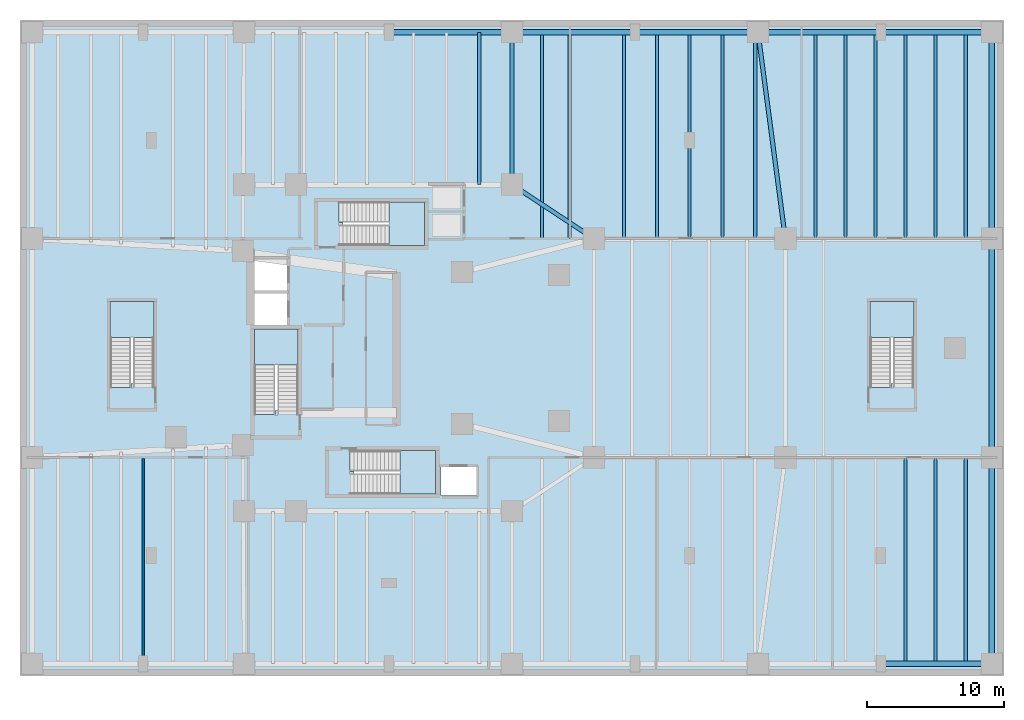
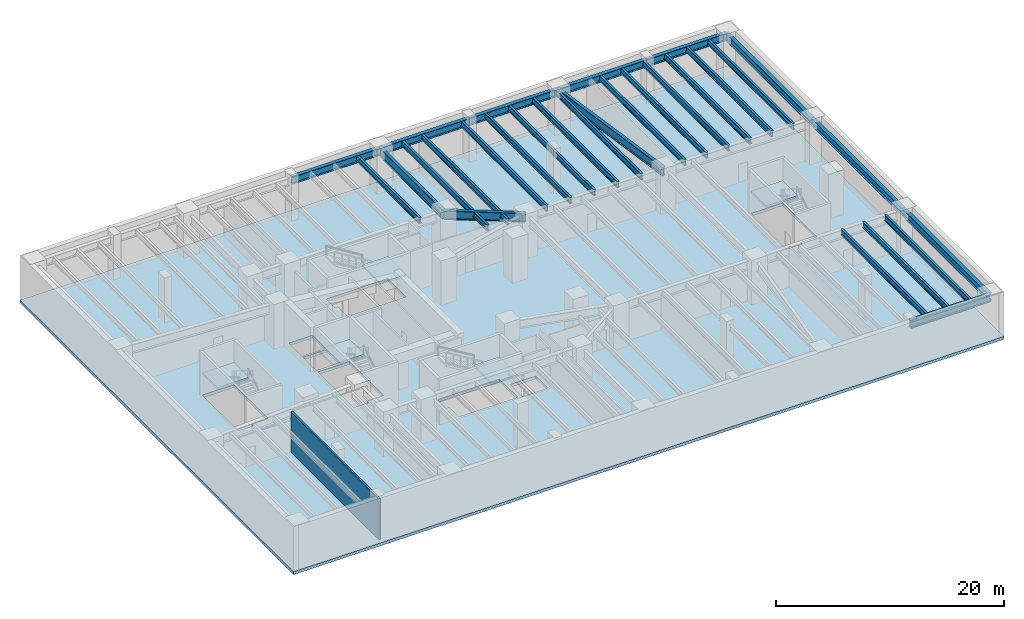
# One storey, part 2 of 9: 29 beams, 6 slabs, 1 wall, 5 elements without a shape of their own.
"""IFC4 building model written with IfcOpenShell, lengths in metres."""

from ifc_helpers import new_model, si_unit, direction, frame, frame_2d, origin, origin_2d, place, context, subcontext, project, spatial, polyline, rectangle, i_section, outline, extrude, material, layer, layer_set, material_profile, profile_set, type_object, element, aggregate, save


model = new_model("IFC4")

# Units and contexts
model_context = context("Model", 3, precision=1e-05, world=origin(), true_north=direction((0.0, 1.0)))
body_context = subcontext(model_context, "Body", "Model", "MODEL_VIEW")
ifc_project = project(units=[si_unit("LENGTHUNIT", "METRE"), si_unit("AREAUNIT", "SQUARE_METRE"), si_unit("VOLUMEUNIT", "CUBIC_METRE"), si_unit("PLANEANGLEUNIT", "RADIAN"), si_unit("MASSUNIT", "GRAM", prefix="KILO"), si_unit("THERMODYNAMICTEMPERATUREUNIT", "KELVIN"), si_unit("POWERUNIT", "WATT")], contexts=[model_context])

# Site, building, storey
site_placement = place(None, origin())
site = spatial("IfcSite", under=ifc_project, at=site_placement, CompositionType="ELEMENT")
building_placement = place(site_placement, origin())
building = spatial("IfcBuilding", under=site, at=building_placement, Name="Skarre Station Tower", CompositionType="ELEMENT")
storey_placement = place(building_placement, frame((0.0, 0.0, -4.800048828125)))
storey = spatial("IfcBuildingStorey", under=building, at=storey_placement, Name="B01", CompositionType="ELEMENT", Elevation=-4.800048828125)

# Beams
ifc_material_1 = material(Name="Steel ASTM A992 Grade 50", Category="steel")
ifc_material_profile_1 = material_profile(ifc_material_1, i_section(OverallWidth=0.30810546875, OverallDepth=0.927001953125, WebThickness=0.01904296875, FlangeThickness=0.031982421875, at=origin_2d()), Name="Steel ASTM A992 Grade 50")
ifc_profile_set_1 = profile_set([ifc_material_profile_1], Name="Steel ASTM A992 Grade 50")
beam_type_1 = type_object("IfcBeamType", Name="Steel Beam W36X194", PredefinedType="BEAM", material=ifc_profile_set_1)
beam_1_placement = place(storey_placement, frame((42.0, 32.0, 3.9169921875), z_axis=(-0.835251957938, 0.549867408345, 0.0), x_axis=(-0.549867408345, -0.835251957938, 0.0)))
element("IfcBeam", 1, at=beam_1_placement, inside=storey, type_object=beam_type_1, Name="B01 Concourse Transverse Girder NS5B", PredefinedType="BEAM", context=body_context, shape_type="SweptSolid", body=[
    extrude(i_section(OverallWidth=0.30810546875, OverallDepth=0.927001953125, WebThickness=0.01904296875, FlangeThickness=0.031982421875, at=origin_2d()), origin(), (0.0, 0.0, 1.0), 7.183349609375),
])
beam_2_placement = place(storey_placement, frame((36.0, 35.949951171875, 3.9169921875), z_axis=(0.0, 1.0, 0.0), x_axis=(-1.0, 0.0, 0.0)))
element("IfcBeam", 2, at=beam_2_placement, inside=storey, type_object=beam_type_1, Name="B01 Concourse Transverse Girder NS5", PredefinedType="BEAM", context=body_context, shape_type="SweptSolid", body=[
    extrude(i_section(OverallWidth=0.30810546875, OverallDepth=0.927001953125, WebThickness=0.01904296875, FlangeThickness=0.031982421875, at=origin_2d()), origin(), (0.0, 0.0, 1.0), 11.150146484375),
])
beam_3_placement = place(storey_placement, frame((56.0, 32.0, 3.9169921875), z_axis=(-0.131302768537, 0.991342313721, 0.0), x_axis=(-0.991342313721, -0.131302768537, 0.0)))
element("IfcBeam", 3, at=beam_3_placement, inside=storey, type_object=beam_type_1, Name="B01 Concourse Transverse Girder NS8", PredefinedType="BEAM", context=body_context, shape_type="SweptSolid", body=[
    extrude(i_section(OverallWidth=0.30810546875, OverallDepth=0.927001953125, WebThickness=0.01904296875, FlangeThickness=0.031982421875, at=origin_2d()), origin(), (0.0, 0.0, 1.0), 15.23193359375),
])
ifc_material_profile_2 = material_profile(ifc_material_1, i_section(OverallWidth=0.22802734375, OverallDepth=0.60791015625, WebThickness=0.010986328125, FlangeThickness=0.01708984375, at=origin_2d()), Name="Steel ASTM A992 Grade 50")
ifc_profile_set_2 = profile_set([ifc_material_profile_2], Name="Steel ASTM A992 Grade 50")
beam_type_2 = type_object("IfcBeamType", Name="Steel Joist W24X76", PredefinedType="JOIST", material=ifc_profile_set_2)
beam_4_placement = place(storey_placement, frame((33.60009765625, 35.949951171875, 4.075927734375), z_axis=(0.0, 1.0, 0.0), x_axis=(-1.0, 0.0, 0.0)))
element("IfcBeam", 4, at=beam_4_placement, inside=storey, type_object=beam_type_2, Name="B01 North Bay Joist 13", PredefinedType="JOIST", context=body_context, shape_type="SweptSolid", body=[
    extrude(i_section(OverallWidth=0.22802734375, OverallDepth=0.60791015625, WebThickness=0.010986328125, FlangeThickness=0.01708984375, at=origin_2d()), origin(), (0.0, 0.0, 1.0), 11.150146484375),
])
for number, where, z_axis, x_axis, name in (
    (5, (38.199951171875, 32.0, 4.075927734375), (0.0, 1.0, 0.0), (-1.0, 0.0, 0.0), "B01 North Bay Joist 14"),
    (6, (40.199951171875, 32.0, 4.075927734375), (0.0, 1.0, 0.0), (-1.0, 0.0, 0.0), "B01 North Bay Joist 15"),
    (7, (44.199951171875, 32.0, 4.075927734375), (0.0, 1.0, 0.0), (-1.0, 0.0, 0.0), "B01 North Bay Joist 16"),
    (8, (46.60009765625, 32.0, 4.075927734375), (0.0, 1.0, 0.0), (-1.0, 0.0, 0.0), "B01 North Bay Joist 17"),
    (9, (49.0, 32.0, 4.075927734375), (0.0, 1.0, 0.0), (-1.0, 0.0, 0.0), "B01 North Bay Joist 18"),
    (10, (51.39990234375, 32.0, 4.075927734375), (0.0, 1.0, 0.0), (-1.0, 0.0, 0.0), "B01 North Bay Joist 19"),
    (11, (53.800048828125, 32.0, 4.075927734375), (0.0, 1.0, 0.0), (-1.0, 0.0, 0.0), "B01 North Bay Joist 20"),
    (12, (58.199951171875, 32.0, 4.075927734375), (0.0, 1.0, 0.0), (-1.0, 0.0, 0.0), "B01 North Bay Joist 21"),
    (13, (60.39990234375, 32.0, 4.075927734375), (0.0, 1.0, 0.0), (-1.0, 0.0, 0.0), "B01 North Bay Joist 22"),
    (14, (62.60009765625, 32.0, 4.075927734375), (0.0, 1.0, 0.0), (-1.0, 0.0, 0.0), "B01 North Bay Joist 23"),
    (15, (64.800048828125, 0.89990234375, 4.075927734375), (0.0, 1.0, 0.0), (-1.0, 0.0, 0.0), "B01 South Bay Joist 24"),
    (16, (64.800048828125, 32.0, 4.075927734375), (0.0, 1.0, 0.0), (-1.0, 0.0, 0.0), "B01 North Bay Joist 24"),
    (17, (67.0, 0.89990234375, 4.075927734375), (0.0, 1.0, 0.0), (-1.0, 0.0, 0.0), "B01 South Bay Joist 25"),
    (18, (67.0, 32.0, 4.075927734375), (0.0, 1.0, 0.0), (-1.0, 0.0, 0.0), "B01 North Bay Joist 25"),
    (19, (69.199951171875, 0.89990234375, 4.075927734375), (0.0, 1.0, 0.0), (-1.0, 0.0, 0.0), "B01 South Bay Joist 26"),
    (20, (69.199951171875, 32.0, 4.075927734375), (0.0, 1.0, 0.0), (-1.0, 0.0, 0.0), "B01 North Bay Joist 26"),
):
    element("IfcBeam", number, at=place(storey_placement, frame(where, z_axis=z_axis, x_axis=x_axis)), inside=storey, type_object=beam_type_2, Name=name, PredefinedType="JOIST", context=body_context, shape_type="SweptSolid", body=[
        extrude(i_section(OverallWidth=0.22802734375, OverallDepth=0.60791015625, WebThickness=0.010986328125, FlangeThickness=0.01708984375, at=origin_2d()), origin(), (0.0, 0.0, 1.0), 15.10009765625),
    ])
ifc_material_profile_3 = material_profile(ifc_material_1, i_section(OverallWidth=0.384033203125, OverallDepth=0.785888671875, WebThickness=0.02001953125, FlangeThickness=0.032958984375, at=origin_2d()), Name="Steel ASTM A992 Grade 50")
ifc_profile_set_3 = profile_set([ifc_material_profile_3], Name="Steel ASTM A992 Grade 50")
beam_type_3 = type_object("IfcBeamType", Name="Steel Spandrel W30X211", PredefinedType="SPANDREL", material=ifc_profile_set_3)
for number, where, z_axis, x_axis, name in (
    (21, (27.0, 47.10009765625, 3.987060546875), (1.0, 0.0, 0.0), (0.0, 1.0, 0.0), "B01 North Podium Spandrel 4"),
    (22, (36.0, 47.10009765625, 3.987060546875), (1.0, 0.0, 0.0), (0.0, 1.0, 0.0), "B01 North Podium Spandrel 5"),
    (23, (45.0, 47.10009765625, 3.987060546875), (1.0, 0.0, 0.0), (0.0, 1.0, 0.0), "B01 North Podium Spandrel 6"),
    (24, (54.0, 47.10009765625, 3.987060546875), (1.0, 0.0, 0.0), (0.0, 1.0, 0.0), "B01 North Podium Spandrel 7"),
):
    element("IfcBeam", number, at=place(storey_placement, frame(where, z_axis=z_axis, x_axis=x_axis)), inside=storey, type_object=beam_type_3, Name=name, PredefinedType="SPANDREL", context=body_context, shape_type="SweptSolid", body=[
        extrude(i_section(OverallWidth=0.384033203125, OverallDepth=0.785888671875, WebThickness=0.02001953125, FlangeThickness=0.032958984375, at=origin_2d()), origin(), (0.0, 0.0, 1.0), 9.0),
    ])
for number, where, z_axis, x_axis, name in (
    (25, (63.0, 0.89990234375, 3.987060546875), (1.0, 0.0, 0.0), (0.0, 1.0, 0.0), "B01 South Podium Spandrel 8"),
    (26, (63.0, 47.10009765625, 3.987060546875), (1.0, 0.0, 0.0), (0.0, 1.0, 0.0), "B01 North Podium Spandrel 8"),
):
    element("IfcBeam", number, at=place(storey_placement, frame(where, z_axis=z_axis, x_axis=x_axis)), inside=storey, type_object=beam_type_3, Name=name, PredefinedType="SPANDREL", context=body_context, shape_type="SweptSolid", body=[
        extrude(i_section(OverallWidth=0.384033203125, OverallDepth=0.785888671875, WebThickness=0.02001953125, FlangeThickness=0.032958984375, at=origin_2d()), origin(), (0.0, 0.0, 1.0), 8.10009765625),
    ])
beam_5_placement = place(storey_placement, frame((71.10009765625, 0.89990234375, 3.987060546875), z_axis=(0.0, 1.0, 0.0), x_axis=(-1.0, 0.0, 0.0)))
element("IfcBeam", 27, at=beam_5_placement, inside=storey, type_object=beam_type_3, Name="B01 East Podium Spandrel 1", PredefinedType="SPANDREL", context=body_context, shape_type="SweptSolid", body=[
    extrude(i_section(OverallWidth=0.384033203125, OverallDepth=0.785888671875, WebThickness=0.02001953125, FlangeThickness=0.032958984375, at=origin_2d()), origin(), (0.0, 0.0, 1.0), 15.10009765625),
])
beam_6_placement = place(storey_placement, frame((71.10009765625, 16.0, 3.987060546875), z_axis=(0.0, 1.0, 0.0), x_axis=(-1.0, 0.0, 0.0)))
element("IfcBeam", 28, at=beam_6_placement, inside=storey, type_object=beam_type_3, Name="B01 East Podium Spandrel 2", PredefinedType="SPANDREL", context=body_context, shape_type="SweptSolid", body=[
    extrude(i_section(OverallWidth=0.384033203125, OverallDepth=0.785888671875, WebThickness=0.02001953125, FlangeThickness=0.032958984375, at=origin_2d()), origin(), (0.0, 0.0, 1.0), 16.0),
])
beam_7_placement = place(storey_placement, frame((71.10009765625, 32.0, 3.987060546875), z_axis=(0.0, 1.0, 0.0), x_axis=(-1.0, 0.0, 0.0)))
element("IfcBeam", 29, at=beam_7_placement, inside=storey, type_object=beam_type_3, Name="B01 East Podium Spandrel 3", PredefinedType="SPANDREL", context=body_context, shape_type="SweptSolid", body=[
    extrude(i_section(OverallWidth=0.384033203125, OverallDepth=0.785888671875, WebThickness=0.02001953125, FlangeThickness=0.032958984375, at=origin_2d()), origin(), (0.0, 0.0, 1.0), 15.10009765625),
])

# Slab
ifc_material_2 = material(Name="Concrete C50/60", Category="concrete")
ifc_layer_1 = layer(ifc_material_2, 0.31005859375, Name="Concrete C50/60")
ifc_layer_set_1 = layer_set([ifc_layer_1], Name="Concrete C50/60")
slab_type_1 = type_object("IfcSlabType", Name="Podium & Plant Structural Slab 310", PredefinedType="FLOOR", material=ifc_layer_set_1)
slab_1_placement = place(storey_placement, frame((0.0, 0.0, -0.31005859375)))
element("IfcSlab", 30, at=slab_1_placement, inside=storey, type_object=slab_type_1, Name="B01 Station Podium Structural Floor Slab", PredefinedType="FLOOR", context=body_context, shape_type="SweptSolid", body=[
    extrude(outline(polyline([(0.0, 0.0), (72.0, 0.0), (72.0, 48.0), (0.0, 48.0), (0.0, 0.0)]), holes=[polyline([(18.669921875, 19.419921875), (18.669921875, 19.123046875), (17.14990234375, 19.123046875), (17.14990234375, 25.39990234375), (20.35009765625, 25.39990234375), (20.35009765625, 19.419921875), (18.669921875, 19.419921875)]), polyline([(24.449951171875, 14.97998046875), (24.153076171875, 14.97998046875), (24.153076171875, 16.5), (30.39990234375, 16.5), (30.39990234375, 13.300048828125), (24.449951171875, 13.300048828125), (24.449951171875, 14.97998046875)]), polyline([(23.64990234375, 33.179931640625), (23.35302734375, 33.179931640625), (23.35302734375, 34.699951171875), (29.60009765625, 34.699951171875), (29.60009765625, 31.5), (23.64990234375, 31.5), (23.64990234375, 33.179931640625)]), polyline([(8.1201171875, 21.419921875), (8.1201171875, 21.123046875), (6.60009765625, 21.123046875), (6.60009765625, 27.39990234375), (9.800048828125, 27.39990234375), (9.800048828125, 21.419921875), (8.1201171875, 21.419921875)]), polyline([(63.719970703125, 21.419921875), (63.719970703125, 21.123046875), (62.199951171875, 21.123046875), (62.199951171875, 27.39990234375), (65.39990234375, 27.39990234375), (65.39990234375, 21.419921875), (63.719970703125, 21.419921875)]), polyline([(17.14990234375, 28.0), (19.550048828125, 28.0), (19.550048828125, 25.699951171875), (17.14990234375, 25.699951171875), (17.14990234375, 28.0)]), polyline([(17.14990234375, 30.5), (19.550048828125, 30.5), (19.550048828125, 28.199951171875), (17.14990234375, 28.199951171875), (17.14990234375, 30.5)]), polyline([(30.800048828125, 15.300048828125), (33.39990234375, 15.300048828125), (33.39990234375, 13.199951171875), (30.800048828125, 13.199951171875), (30.800048828125, 15.300048828125)])]), origin(), (0.0, 0.0, 1.0), 0.31005859375),
])

# Stair, slab
ifc_material_3 = material(Name="Concrete C40/50", Category="concrete")
stair_type_1 = type_object("IfcStairType", Name="Reinforced Concrete Exit Stair ST-1", PredefinedType="HALF_TURN_STAIR", material=ifc_material_3)
stair_1_placement = place(storey_placement, origin())
stair_1 = element("IfcStair", 31, at=stair_1_placement, inside=storey, type_object=stair_type_1, Name="B01 Core Exit Stair ST-1", PredefinedType="HALF_TURN_STAIR")
ifc_layer_2 = layer(ifc_material_3, 0.219970703125, Name="Concrete C40/50")
ifc_layer_set_2 = layer_set([ifc_layer_2], Name="Concrete C40/50")
slab_type_2 = type_object("IfcSlabType", Name="Reinforced Concrete Stair & Ramp Landing 220", PredefinedType="LANDING", material=ifc_layer_set_2)
slab_2_placement = place(storey_placement, frame((0.0, 0.0, 2.199951171875)))
slab_2 = element("IfcSlab", 32, at=slab_2_placement, type_object=slab_type_2, Name="ST-1 landing 1", PredefinedType="LANDING", context=body_context, shape_type="SweptSolid", body=[
    extrude(outline(polyline([(20.35009765625, 22.760009765625), (20.35009765625, 25.39990234375), (17.14990234375, 25.39990234375), (17.14990234375, 22.760009765625), (20.35009765625, 22.760009765625)])), origin(), (0.0, 0.0, 1.0), 0.2001953125),
])
aggregate(stair_1, [slab_2])

stair_type_2 = type_object("IfcStairType", Name="Reinforced Concrete Exit Stair ST-2", PredefinedType="HALF_TURN_STAIR", material=ifc_material_3)
stair_2_placement = place(storey_placement, origin())
stair_2 = element("IfcStair", 33, at=stair_2_placement, inside=storey, type_object=stair_type_2, Name="B01 Core Exit Stair ST-2", PredefinedType="HALF_TURN_STAIR")
slab_3_placement = place(storey_placement, frame((0.0, 0.0, 2.199951171875)))
slab_3 = element("IfcSlab", 34, at=slab_3_placement, type_object=slab_type_2, Name="ST-2 landing 1", PredefinedType="LANDING", context=body_context, shape_type="SweptSolid", body=[
    extrude(outline(polyline([(27.7900390625, 13.300048828125), (30.39990234375, 13.300048828125), (30.39990234375, 16.5), (27.7900390625, 16.5), (27.7900390625, 13.300048828125)])), origin(), (0.0, 0.0, 1.0), 0.2001953125),
])
aggregate(stair_2, [slab_3])

stair_type_3 = type_object("IfcStairType", Name="Reinforced Concrete Exit Stair ST-3", PredefinedType="HALF_TURN_STAIR", material=ifc_material_3)
stair_3_placement = place(storey_placement, origin())
stair_3 = element("IfcStair", 35, at=stair_3_placement, inside=storey, type_object=stair_type_3, Name="B01 Core Exit Stair ST-3", PredefinedType="HALF_TURN_STAIR")
slab_4_placement = place(storey_placement, frame((0.0, 0.0, 2.199951171875)))
slab_4 = element("IfcSlab", 36, at=slab_4_placement, type_object=slab_type_2, Name="ST-3 landing 1", PredefinedType="LANDING", context=body_context, shape_type="SweptSolid", body=[
    extrude(outline(polyline([(26.989990234375, 31.5), (29.60009765625, 31.5), (29.60009765625, 34.699951171875), (26.989990234375, 34.699951171875), (26.989990234375, 31.5)])), origin(), (0.0, 0.0, 1.0), 0.2001953125),
])
aggregate(stair_3, [slab_4])

stair_type_4 = type_object("IfcStairType", Name="Reinforced Concrete Exit Stair ST-4", PredefinedType="HALF_TURN_STAIR", material=ifc_material_3)
stair_4_placement = place(storey_placement, origin())
stair_4 = element("IfcStair", 37, at=stair_4_placement, inside=storey, type_object=stair_type_4, Name="B01 Podium Concourse Exit Stair ST-4", PredefinedType="HALF_TURN_STAIR")
slab_5_placement = place(storey_placement, frame((0.0, 0.0, 2.199951171875)))
slab_5 = element("IfcSlab", 38, at=slab_5_placement, type_object=slab_type_2, Name="ST-4 landing 1", PredefinedType="LANDING", context=body_context, shape_type="SweptSolid", body=[
    extrude(outline(polyline([(9.800048828125, 24.760009765625), (9.800048828125, 27.39990234375), (6.60009765625, 27.39990234375), (6.60009765625, 24.760009765625), (9.800048828125, 24.760009765625)])), origin(), (0.0, 0.0, 1.0), 0.2001953125),
])
aggregate(stair_4, [slab_5])

stair_type_5 = type_object("IfcStairType", Name="Reinforced Concrete Exit Stair ST-5", PredefinedType="HALF_TURN_STAIR", material=ifc_material_3)
stair_5_placement = place(storey_placement, origin())
stair_5 = element("IfcStair", 39, at=stair_5_placement, inside=storey, type_object=stair_type_5, Name="B01 Podium Concourse Exit Stair ST-5", PredefinedType="HALF_TURN_STAIR")
slab_6_placement = place(storey_placement, frame((0.0, 0.0, 2.199951171875)))
slab_6 = element("IfcSlab", 40, at=slab_6_placement, type_object=slab_type_2, Name="ST-5 landing 1", PredefinedType="LANDING", context=body_context, shape_type="SweptSolid", body=[
    extrude(outline(polyline([(65.39990234375, 24.760009765625), (65.39990234375, 27.39990234375), (62.199951171875, 27.39990234375), (62.199951171875, 24.760009765625), (65.39990234375, 24.760009765625)])), origin(), (0.0, 0.0, 1.0), 0.2001953125),
])
aggregate(stair_5, [slab_6])

# Wall
ifc_material_4 = material(Name="Acoustic Steel-Stud Gypsum Partition", Category="steel")
ifc_layer_3 = layer(ifc_material_4, 0.1650390625, Name="Acoustic Steel-Stud Gypsum Partition")
ifc_layer_set_3 = layer_set([ifc_layer_3], Name="Acoustic Steel-Stud Gypsum Partition")
wall_type = type_object("IfcWallType", Name="Suite Demising Acoustic Partition 165", PredefinedType="PARTITIONING", material=ifc_layer_set_3)
wall_placement = place(storey_placement, frame((9.02001953125, 0.4951171875, 0.0), z_axis=(0.0, 0.0, 1.0), x_axis=(0.0, 1.0, 0.0)))
element("IfcWall", 41, at=wall_placement, inside=storey, type_object=wall_type, Name="B01 Interior Partition WL-PT-B01-PDSW-P1", PredefinedType="PARTITIONING", context=body_context, shape_type="SweptSolid", body=[
    extrude(rectangle(XDim=15.414794921875, YDim=0.1650390625, at=frame_2d((7.70751953125, 0.0))), origin(), (0.0, 0.0, 1.0), 4.380126953125),
])

save(model, "model.ifc")
